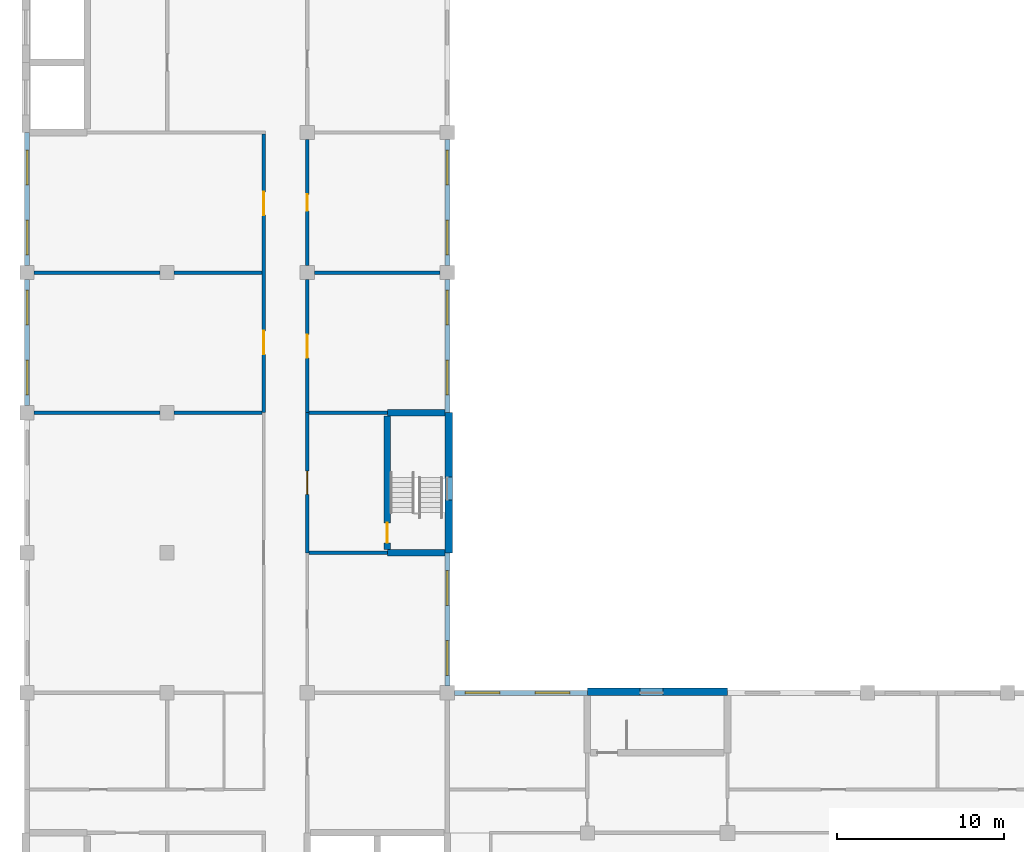
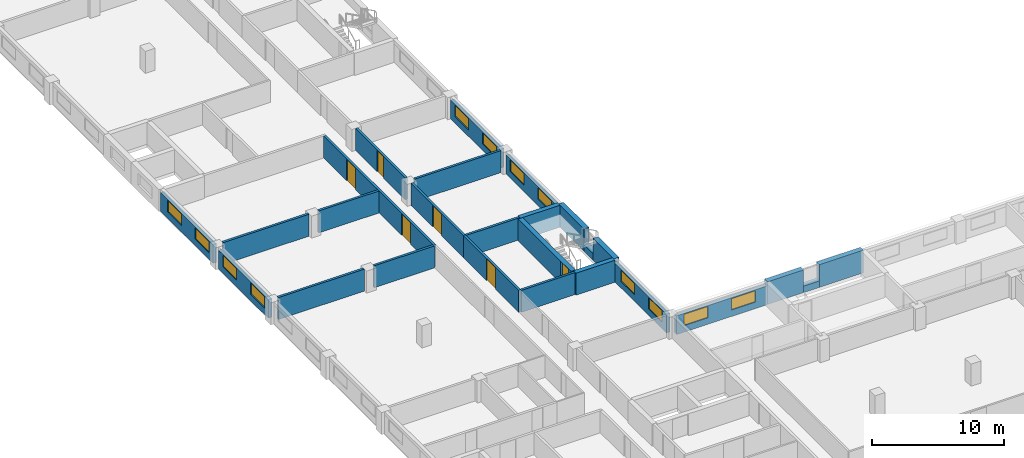
# One storey, part 32 of 48: 26 walls, 12 windows, 6 doors, 18 openings.
"""IFC4 building model written with IfcOpenShell, lengths in metres."""

import ifcopenshell
import ifcopenshell.guid

model = None  # the IFC model being written
_history = None  # IfcOwnerHistory: only IFC2X3 demands one
_inside = {}  # id of a spatial element -> (the spatial element, [elements in it])
_under = {}  # id of a project, library or spatial element -> (it, [spatial elements below it])
_declared = {}  # id of a project -> (the project, [libraries it declares])
_typed = {}  # id of a type object -> (the type object, [elements of that type])
_made_of = {}  # id of a material, layer set ... -> (it, [elements and type objects made of it])


def new_model(schema):
    """Start an empty IFC model of exactly this schema.

    Asked for "IFC4X3", IfcOpenShell would pick the latest addendum, in which some entities
    have other attributes; the version numbers below select the first issue.
    IFC2X3 requires an IfcOwnerHistory on every rooted entity: one is made here for all.
    """
    global model, _history
    if schema == "IFC4X3":
        model = ifcopenshell.file(schema_version=(4, 3, 0, 0))
    else:
        model = ifcopenshell.file(schema=schema)
    _inside.clear()
    _under.clear()
    _declared.clear()
    _typed.clear()
    _made_of.clear()
    _history = None
    if model.schema == "IFC2X3":
        org = make("IfcOrganization", Name="unknown")
        user = make(
            "IfcPersonAndOrganization",
            ThePerson=make("IfcPerson", FamilyName="unknown"),
            TheOrganization=org,
        )
        app = make(
            "IfcApplication",
            ApplicationDeveloper=org,
            Version="unknown",
            ApplicationFullName="unknown",
            ApplicationIdentifier="unknown",
        )
        _history = make(
            "IfcOwnerHistory",
            OwningUser=user,
            OwningApplication=app,
            ChangeAction="ADDED",
            CreationDate=0,
        )
    return model


def make(cls, **values):
    """One entity of the class cls with the attributes given. An attribute that is None is left unset."""
    return model.create_entity(
        cls, **{name: value for name, value in values.items() if value is not None}
    )


def rooted(cls, **values):
    """An entity with a GlobalId (a new one), such as an element, a storey or a relation."""
    return make(cls, GlobalId=ifcopenshell.guid.new(), OwnerHistory=_history, **values)


def si_unit(unit_type, name, prefix=None):
    """IfcSIUnit, for example si_unit("LENGTHUNIT", "METRE", prefix="MILLI")."""
    return make("IfcSIUnit", UnitType=unit_type, Prefix=prefix, Name=name)


def assignment(units):
    """IfcUnitAssignment: the units of a project."""
    return None if units is None else make("IfcUnitAssignment", Units=units)


def point(xyz):
    """IfcCartesianPoint."""
    return None if xyz is None else make("IfcCartesianPoint", Coordinates=xyz)


def direction(xyz):
    """IfcDirection."""
    return None if xyz is None else make("IfcDirection", DirectionRatios=xyz)


def frame(location, z_axis=None, x_axis=None):
    """IfcAxis2Placement3D, a coordinate frame: its origin and axes. An axis left out is left unset."""
    return make(
        "IfcAxis2Placement3D",
        Location=point(location),
        Axis=direction(z_axis),
        RefDirection=direction(x_axis),
    )


def frame_2d(location, x_axis=None):
    """IfcAxis2Placement2D, a coordinate frame in the plane: its origin and x axis."""
    return make(
        "IfcAxis2Placement2D", Location=point(location), RefDirection=direction(x_axis)
    )


def origin():
    """The frame at (0, 0, 0) with its axes left unset."""
    return frame((0.0, 0.0, 0.0))


def place(relative_to, where):
    """IfcLocalPlacement: puts the frame where relative to a parent placement (None: the world)."""
    return make(
        "IfcLocalPlacement", PlacementRelTo=relative_to, RelativePlacement=where
    )


def context(
    kind, dimensions, precision=None, world=None, true_north=None, identifier=None
):
    """IfcGeometricRepresentationContext, for example the 3D "Model" context."""
    return make(
        "IfcGeometricRepresentationContext",
        ContextIdentifier=identifier,
        ContextType=kind,
        CoordinateSpaceDimension=dimensions,
        Precision=precision,
        WorldCoordinateSystem=world,
        TrueNorth=true_north,
    )


def subcontext(parent, identifier, kind, view, scale=None):
    """IfcGeometricRepresentationSubContext, for example "Body" below "Model"."""
    return make(
        "IfcGeometricRepresentationSubContext",
        ContextIdentifier=identifier,
        ContextType=kind,
        ParentContext=parent,
        TargetScale=scale,
        TargetView=view,
    )


def project(units=None, contexts=None):
    """IfcProject with its units and contexts."""
    return rooted(
        "IfcProject",
        Name="project",
        RepresentationContexts=contexts,
        UnitsInContext=assignment(units),
    )


def spatial(cls, under=None, at=None, **own):
    """A site, building, storey or space (cls), placed at a placement, below another one or the project."""
    s = rooted(cls, ObjectPlacement=at, **own)
    if under is not None:
        _under.setdefault(under.id(), (under, []))[1].append(s)
    return s


def profile(cls, at=None, kind="AREA", **sizes):
    """A parametric profile (cls). Its sizes go by their IFC names, for example OverallWidth=200.0."""
    return make(cls, ProfileType=kind, Position=at, **sizes)


def rectangle(**sizes):
    """IfcRectangleProfileDef."""
    return profile("IfcRectangleProfileDef", **sizes)


def extrude(swept, where, along, depth):
    """IfcExtrudedAreaSolid: the profile swept, set in the frame where, extruded along a direction by depth."""
    return make(
        "IfcExtrudedAreaSolid",
        SweptArea=swept,
        Position=where,
        ExtrudedDirection=direction(along),
        Depth=depth,
    )


def shape(context_of_items, identifier, shape_type, items):
    """IfcShapeRepresentation: the items that make up one representation, for example the "Body"."""
    return make(
        "IfcShapeRepresentation",
        ContextOfItems=context_of_items,
        RepresentationIdentifier=identifier,
        RepresentationType=shape_type,
        Items=items,
    )


def material(Name=None, Category=None):
    """IfcMaterial."""
    return make("IfcMaterial", Name=Name, Category=Category)


def layer(
    of_material, thickness, ventilated=None, Name=None, Category=None, Priority=None
):
    """IfcMaterialLayer: one layer of a wall or slab, of a material (None: an air gap)."""
    return make(
        "IfcMaterialLayer",
        Material=of_material,
        LayerThickness=thickness,
        IsVentilated=ventilated,
        Name=Name,
        Category=Category,
        Priority=Priority,
    )


def layer_set(layers, Name=None):
    """IfcMaterialLayerSet."""
    return make("IfcMaterialLayerSet", MaterialLayers=layers, LayerSetName=Name)


def made_of(thing, what):
    """Note that an element or type object is made of a material, layer set ...; save() writes the relation."""
    if what is not None:
        _made_of.setdefault(what.id(), (what, []))[1].append(thing)
    return thing


def type_object(cls, material=None, **own):
    """A type object (cls), such as IfcWallType, which elements share."""
    return made_of(rooted(cls, **own), material)


def element(
    cls,
    number,
    at=None,
    inside=None,
    cuts=None,
    type_object=None,
    material=None,
    context=None,
    identifier="Body",
    shape_type=None,
    held_by="IfcProductDefinitionShape",
    body=None,
    shapes=None,
    **own,
):
    """One element of the class cls, such as IfcWall. Its Tag is "e" and its number.

    at: its placement. inside: the storey or other place that contains it. cuts: it is an
    opening in that element (IfcRelVoidsElement). A single representation is given by context,
    identifier, shape_type and body (its items); several are given by shapes. held_by: the class
    of the entity that holds the representations. save() writes the other relations.
    """
    e = rooted(cls, Tag="e%d" % number, ObjectPlacement=at, **own)
    if body is not None:
        shapes = [shape(context, identifier, shape_type, body)]
    if shapes is not None:
        e.Representation = make(held_by, Representations=shapes)
    if inside is not None:
        _inside.setdefault(inside.id(), (inside, []))[1].append(e)
    if cuts is not None:
        rooted(
            "IfcRelVoidsElement", RelatingBuildingElement=cuts, RelatedOpeningElement=e
        )
    if type_object is not None:
        _typed.setdefault(type_object.id(), (type_object, []))[1].append(e)
    return made_of(e, material)


def fill(opening, filler):
    """IfcRelFillsElement: the door or window that sits in an opening."""
    return rooted(
        "IfcRelFillsElement",
        RelatingOpeningElement=opening,
        RelatedBuildingElement=filler,
    )


def aggregate(whole, parts):
    """IfcRelAggregates: a whole, such as a stair, and the parts it consists of."""
    return rooted("IfcRelAggregates", RelatingObject=whole, RelatedObjects=parts)


def save(model, path):
    """Write the relations noted so far, then the file.

    IfcRelAggregates (storeys below a building ...), IfcRelContainedInSpatialStructure (elements
    in a storey), IfcRelDefinesByType, IfcRelAssociatesMaterial and IfcRelDeclares: one each for
    every whole, place, type object, material and project.
    """
    for whole, parts in _under.values():
        aggregate(whole, parts)
    for where, things in _inside.values():
        rooted(
            "IfcRelContainedInSpatialStructure",
            RelatedElements=things,
            RelatingStructure=where,
        )
    for kind, things in _typed.values():
        rooted("IfcRelDefinesByType", RelatedObjects=things, RelatingType=kind)
    for what, things in _made_of.values():
        rooted("IfcRelAssociatesMaterial", RelatedObjects=things, RelatingMaterial=what)
    for by, libraries in _declared.values():
        rooted("IfcRelDeclares", RelatingContext=by, RelatedDefinitions=libraries)
    model.write(path)


model = new_model("IFC4")

# Units and contexts
model_context = context("Model", 3, precision=1e-05, world=origin(), true_north=direction((0.0, 1.0)))
body_context = subcontext(model_context, "Body", "Model", "MODEL_VIEW")
ifc_project = project(units=[si_unit("LENGTHUNIT", "METRE"), si_unit("AREAUNIT", "SQUARE_METRE"), si_unit("VOLUMEUNIT", "CUBIC_METRE"), si_unit("PLANEANGLEUNIT", "RADIAN"), si_unit("MASSUNIT", "GRAM", prefix="KILO")], contexts=[model_context])

# Site, building, storey
site_placement = place(None, origin())
site = spatial("IfcSite", under=ifc_project, at=site_placement, CompositionType="ELEMENT")
building_placement = place(site_placement, origin())
building = spatial("IfcBuilding", under=site, at=building_placement, Name="Yavir Park General Hospital", CompositionType="ELEMENT")
storey_placement = place(building_placement, frame((0.0, 0.0, 12.89990234375)))
storey = spatial("IfcBuildingStorey", under=building, at=storey_placement, Name="I02", CompositionType="ELEMENT", Elevation=12.89990234375)

# Walls
ifc_material_1 = material(Name="Double gypsum board fire partition on steel studs", Category="steel")
ifc_layer_1 = layer(ifc_material_1, 0.199951171875)
ifc_layer_set_1 = layer_set([ifc_layer_1], Name="Double gypsum board fire partition on steel studs")
wall_type_1 = type_object("IfcWallType", Name="Fire-rated partition 200, EI 60", PredefinedType="PARTITIONING", material=ifc_layer_set_1)
for number, where, z_axis, x_axis, name in (
    (1, (16.89990234375, 42.0, 0.0), (0.0, 0.0, 1.0), (1.0, 0.0, 0.0), "FP20 I02-074"),
    (2, (16.89990234375, 50.39990234375, 0.0), (0.0, 0.0, 1.0), (1.0, 0.0, 0.0), "FP20 I02-078"),
):
    element("IfcWall", number, at=place(storey_placement, frame(where, z_axis=z_axis, x_axis=x_axis)), inside=storey, type_object=wall_type_1, Name=name, PredefinedType="PARTITIONING", context=body_context, shape_type="SweptSolid", body=[
        extrude(rectangle(XDim=4.7001953125, YDim=0.199951171875, at=frame_2d((2.35009765625, 0.0))), origin(), (0.0, 0.0, 1.0), 2.0400390625),
    ])

# Wall, opening, door
wall_1_placement = place(storey_placement, frame((16.800048828125, 42.0, 0.0), z_axis=(0.0, 0.0, 1.0), x_axis=(0.0, 1.0, 0.0)))
wall_1 = element("IfcWall", 3, at=wall_1_placement, inside=storey, type_object=wall_type_1, Name="FP20 I02-121", PredefinedType="PARTITIONING", context=body_context, shape_type="SweptSolid", body=[
    extrude(rectangle(XDim=8.39990234375, YDim=0.199951171875, at=frame_2d((4.199951171875, 0.0))), origin(), (0.0, 0.0, 1.0), 2.0400390625),
])
opening_1_placement = place(wall_1_placement, frame((3.5, 0.0, 0.0)))
opening_1 = element("IfcOpeningElement", 4, at=opening_1_placement, cuts=wall_1, Name="Opening I02.D067", PredefinedType="OPENING", context=body_context, shape_type="SweptSolid", body=[
    extrude(rectangle(XDim=1.39990234375, YDim=2.0, at=frame_2d((0.699951171875, 1.0))), frame((0.0, 0.10986328125, 0.0), z_axis=(0.0, -1.0, 0.0), x_axis=(1.0, 0.0, 0.0)), (0.0, 0.0, 1.0), 0.219970703125),
])
ifc_material_2 = material(Name="Steel frame, fire-resisting leaves with vision panels", Category="steel")
door_type_1 = type_object("IfcDoorType", Name="Double fire door with vision panels 1400 x 2000, EI 60", OperationType="DOUBLE_DOOR_SINGLE_SWING", PredefinedType="DOOR", material=ifc_material_2)
door_1_placement = place(opening_1_placement, origin())
door_1 = element("IfcDoor", 5, at=door_1_placement, inside=storey, type_object=door_type_1, Name="I02.D067", OperationType="SINGLE_SWING_LEFT", OverallHeight=2.0, OverallWidth=1.39990234375, PredefinedType="DOOR", context=body_context, shape_type="SweptSolid", body=[
    extrude(rectangle(XDim=1.39990234375, YDim=2.0, at=frame_2d((0.699951171875, 1.0))), frame((0.0, 0.030029296875, 0.0), z_axis=(0.0, -1.0, 0.0), x_axis=(1.0, 0.0, 0.0)), (0.0, 0.0, 1.0), 0.06005859375),
])
fill(opening_1, door_1)

# Wall, openings, windows
ifc_material_3 = material(Name="Insulated sandwich panels on a Steel S355 subframe", Category="steel")
ifc_layer_2 = layer(ifc_material_3, 0.300048828125)
ifc_layer_set_2 = layer_set([ifc_layer_2], Name="Insulated sandwich panels on a Steel S355 subframe")
wall_type_2 = type_object("IfcWallType", Name="Insulated panel service floor wall 300, E 30", PredefinedType="SOLIDWALL", material=ifc_layer_set_2)
wall_2_placement = place(storey_placement, frame((25.625, 33.60009765625, 0.0), z_axis=(0.0, 0.0, 1.0), x_axis=(1.0, 0.0, 0.0)))
wall_2 = element("IfcWall", 6, at=wall_2_placement, inside=storey, type_object=wall_type_2, Name="XW5 I02-034", PredefinedType="SOLIDWALL", context=body_context, shape_type="SweptSolid", body=[
    extrude(rectangle(XDim=7.97509765625, YDim=0.300048828125, at=frame_2d((3.987548828125, 0.0))), origin(), (0.0, 0.0, 1.0), 1.739990234375),
])
opening_2_placement = place(wall_2_placement, frame((0.625, 0.0, 0.60009765625)))
opening_2 = element("IfcOpeningElement", 7, at=opening_2_placement, cuts=wall_2, Name="Opening LV3", PredefinedType="OPENING", context=body_context, shape_type="SweptSolid", body=[
    extrude(rectangle(XDim=2.10009765625, YDim=1.050048828125, at=frame_2d((1.050048828125, 0.52490234375))), frame((0.0, 0.159912109375, 0.0), z_axis=(0.0, -1.0, 0.0), x_axis=(1.0, 0.0, 0.0)), (0.0, 0.0, 1.0), 0.320068359375),
])
opening_3_placement = place(wall_2_placement, frame((4.824951171875, 0.0, 0.60009765625)))
opening_3 = element("IfcOpeningElement", 8, at=opening_3_placement, cuts=wall_2, Name="Opening LV3", PredefinedType="OPENING", context=body_context, shape_type="SweptSolid", body=[
    extrude(rectangle(XDim=2.10009765625, YDim=1.050048828125, at=frame_2d((1.050048828125, 0.52490234375))), frame((0.0, 0.159912109375, 0.0), z_axis=(0.0, -1.0, 0.0), x_axis=(1.0, 0.0, 0.0)), (0.0, 0.0, 1.0), 0.320068359375),
])
ifc_material_4 = material(Name="Anodised aluminium louvre blades in a deep frame", Category="aluminium")
window_type = type_object("IfcWindowType", Name="Interstitial floor louvre 2100 x 1050", PartitioningType="SINGLE_PANEL", PredefinedType="WINDOW", material=ifc_material_4)
window_1_placement = place(opening_2_placement, origin())
window_1 = element("IfcWindow", 9, at=window_1_placement, inside=storey, type_object=window_type, Name="LV3 I02-032", OverallHeight=1.050048828125, OverallWidth=2.10009765625, PartitioningType="SINGLE_PANEL", PredefinedType="WINDOW", context=body_context, shape_type="SweptSolid", body=[
    extrude(rectangle(XDim=2.10009765625, YDim=1.050048828125, at=frame_2d((1.050048828125, 0.52490234375))), frame((0.0, 0.074951171875, 0.0), z_axis=(0.0, -1.0, 0.0), x_axis=(1.0, 0.0, 0.0)), (0.0, 0.0, 1.0), 0.14990234375),
])
fill(opening_2, window_1)
window_2_placement = place(opening_3_placement, origin())
window_2 = element("IfcWindow", 10, at=window_2_placement, inside=storey, type_object=window_type, Name="LV3 I02-033", OverallHeight=1.050048828125, OverallWidth=2.10009765625, PartitioningType="SINGLE_PANEL", PredefinedType="WINDOW", context=body_context, shape_type="SweptSolid", body=[
    extrude(rectangle(XDim=2.10009765625, YDim=1.050048828125, at=frame_2d((1.050048828125, 0.52490234375))), frame((0.0, 0.074951171875, 0.0), z_axis=(0.0, -1.0, 0.0), x_axis=(1.0, 0.0, 0.0)), (0.0, 0.0, 1.0), 0.14990234375),
])
fill(opening_3, window_2)

wall_3_placement = place(storey_placement, frame((0.0, 50.824951171875, 0.0), z_axis=(0.0, 0.0, 1.0), x_axis=(0.0, 1.0, 0.0)))
wall_3 = element("IfcWall", 11, at=wall_3_placement, inside=storey, type_object=wall_type_2, Name="XW5 I02-080", PredefinedType="SOLIDWALL", context=body_context, shape_type="SweptSolid", body=[
    extrude(rectangle(XDim=7.550048828125, YDim=0.300048828125, at=frame_2d((3.77490234375, 0.0))), origin(), (0.0, 0.0, 1.0), 1.739990234375),
])
opening_4_placement = place(wall_3_placement, frame((0.625, 0.0, 0.60009765625)))
opening_4 = element("IfcOpeningElement", 12, at=opening_4_placement, cuts=wall_3, Name="Opening LV3", PredefinedType="OPENING", context=body_context, shape_type="SweptSolid", body=[
    extrude(rectangle(XDim=2.10009765625, YDim=1.050048828125, at=frame_2d((1.050048828125, 0.52490234375))), frame((0.0, 0.159912109375, 0.0), z_axis=(0.0, -1.0, 0.0), x_axis=(1.0, 0.0, 0.0)), (0.0, 0.0, 1.0), 0.320068359375),
])
opening_5_placement = place(wall_3_placement, frame((4.824951171875, 0.0, 0.60009765625)))
opening_5 = element("IfcOpeningElement", 13, at=opening_5_placement, cuts=wall_3, Name="Opening LV3", PredefinedType="OPENING", context=body_context, shape_type="SweptSolid", body=[
    extrude(rectangle(XDim=2.10009765625, YDim=1.050048828125, at=frame_2d((1.050048828125, 0.52490234375))), frame((0.0, 0.159912109375, 0.0), z_axis=(0.0, -1.0, 0.0), x_axis=(1.0, 0.0, 0.0)), (0.0, 0.0, 1.0), 0.320068359375),
])
window_3_placement = place(opening_4_placement, origin())
window_3 = element("IfcWindow", 14, at=window_3_placement, inside=storey, type_object=window_type, Name="LV3 I02-071", OverallHeight=1.050048828125, OverallWidth=2.10009765625, PartitioningType="SINGLE_PANEL", PredefinedType="WINDOW", context=body_context, shape_type="SweptSolid", body=[
    extrude(rectangle(XDim=2.10009765625, YDim=1.050048828125, at=frame_2d((1.050048828125, 0.52490234375))), frame((0.0, 0.074951171875, 0.0), z_axis=(0.0, -1.0, 0.0), x_axis=(1.0, 0.0, 0.0)), (0.0, 0.0, 1.0), 0.14990234375),
])
fill(opening_4, window_3)
window_4_placement = place(opening_5_placement, origin())
window_4 = element("IfcWindow", 15, at=window_4_placement, inside=storey, type_object=window_type, Name="LV3 I02-072", OverallHeight=1.050048828125, OverallWidth=2.10009765625, PartitioningType="SINGLE_PANEL", PredefinedType="WINDOW", context=body_context, shape_type="SweptSolid", body=[
    extrude(rectangle(XDim=2.10009765625, YDim=1.050048828125, at=frame_2d((1.050048828125, 0.52490234375))), frame((0.0, 0.074951171875, 0.0), z_axis=(0.0, -1.0, 0.0), x_axis=(1.0, 0.0, 0.0)), (0.0, 0.0, 1.0), 0.14990234375),
])
fill(opening_5, window_4)

wall_4_placement = place(storey_placement, frame((0.0, 59.22509765625, 0.0), z_axis=(0.0, 0.0, 1.0), x_axis=(0.0, 1.0, 0.0)))
wall_4 = element("IfcWall", 16, at=wall_4_placement, inside=storey, type_object=wall_type_2, Name="XW5 I02-081", PredefinedType="SOLIDWALL", context=body_context, shape_type="SweptSolid", body=[
    extrude(rectangle(XDim=7.974853515625, YDim=0.300048828125, at=frame_2d((3.9873046875, 0.0))), origin(), (0.0, 0.0, 1.0), 1.739990234375),
])
opening_6_placement = place(wall_4_placement, frame((0.625, 0.0, 0.60009765625)))
opening_6 = element("IfcOpeningElement", 17, at=opening_6_placement, cuts=wall_4, Name="Opening LV3", PredefinedType="OPENING", context=body_context, shape_type="SweptSolid", body=[
    extrude(rectangle(XDim=2.10009765625, YDim=1.050048828125, at=frame_2d((1.050048828125, 0.52490234375))), frame((0.0, 0.159912109375, 0.0), z_axis=(0.0, -1.0, 0.0), x_axis=(1.0, 0.0, 0.0)), (0.0, 0.0, 1.0), 0.320068359375),
])
opening_7_placement = place(wall_4_placement, frame((4.824951171875, 0.0, 0.60009765625)))
opening_7 = element("IfcOpeningElement", 18, at=opening_7_placement, cuts=wall_4, Name="Opening LV3", PredefinedType="OPENING", context=body_context, shape_type="SweptSolid", body=[
    extrude(rectangle(XDim=2.10009765625, YDim=1.050048828125, at=frame_2d((1.050048828125, 0.52490234375))), frame((0.0, 0.159912109375, 0.0), z_axis=(0.0, -1.0, 0.0), x_axis=(1.0, 0.0, 0.0)), (0.0, 0.0, 1.0), 0.320068359375),
])
window_5_placement = place(opening_6_placement, origin())
window_5 = element("IfcWindow", 19, at=window_5_placement, inside=storey, type_object=window_type, Name="LV3 I02-073", OverallHeight=1.050048828125, OverallWidth=2.10009765625, PartitioningType="SINGLE_PANEL", PredefinedType="WINDOW", context=body_context, shape_type="SweptSolid", body=[
    extrude(rectangle(XDim=2.10009765625, YDim=1.050048828125, at=frame_2d((1.050048828125, 0.52490234375))), frame((0.0, 0.074951171875, 0.0), z_axis=(0.0, -1.0, 0.0), x_axis=(1.0, 0.0, 0.0)), (0.0, 0.0, 1.0), 0.14990234375),
])
fill(opening_6, window_5)
window_6_placement = place(opening_7_placement, origin())
window_6 = element("IfcWindow", 20, at=window_6_placement, inside=storey, type_object=window_type, Name="LV3 I02-074", OverallHeight=1.050048828125, OverallWidth=2.10009765625, PartitioningType="SINGLE_PANEL", PredefinedType="WINDOW", context=body_context, shape_type="SweptSolid", body=[
    extrude(rectangle(XDim=2.10009765625, YDim=1.050048828125, at=frame_2d((1.050048828125, 0.52490234375))), frame((0.0, 0.074951171875, 0.0), z_axis=(0.0, -1.0, 0.0), x_axis=(1.0, 0.0, 0.0)), (0.0, 0.0, 1.0), 0.14990234375),
])
fill(opening_7, window_6)

wall_5_placement = place(storey_placement, frame((25.199951171875, 34.02490234375, 0.0), z_axis=(0.0, 0.0, 1.0), x_axis=(0.0, 1.0, 0.0)))
wall_5 = element("IfcWall", 21, at=wall_5_placement, inside=storey, type_object=wall_type_2, Name="XW5 I02-089", PredefinedType="SOLIDWALL", context=body_context, shape_type="SweptSolid", body=[
    extrude(rectangle(XDim=7.97509765625, YDim=0.300048828125, at=frame_2d((3.987548828125, 0.0))), origin(), (0.0, 0.0, 1.0), 1.739990234375),
])
opening_8_placement = place(wall_5_placement, frame((0.625, 0.0, 0.60009765625)))
opening_8 = element("IfcOpeningElement", 22, at=opening_8_placement, cuts=wall_5, Name="Opening LV3", PredefinedType="OPENING", context=body_context, shape_type="SweptSolid", body=[
    extrude(rectangle(XDim=2.10009765625, YDim=1.050048828125, at=frame_2d((1.050048828125, 0.52490234375))), frame((0.0, 0.159912109375, 0.0), z_axis=(0.0, -1.0, 0.0), x_axis=(1.0, 0.0, 0.0)), (0.0, 0.0, 1.0), 0.320068359375),
])
opening_9_placement = place(wall_5_placement, frame((4.824951171875, 0.0, 0.60009765625)))
opening_9 = element("IfcOpeningElement", 23, at=opening_9_placement, cuts=wall_5, Name="Opening LV3", PredefinedType="OPENING", context=body_context, shape_type="SweptSolid", body=[
    extrude(rectangle(XDim=2.10009765625, YDim=1.050048828125, at=frame_2d((1.050048828125, 0.52490234375))), frame((0.0, 0.159912109375, 0.0), z_axis=(0.0, -1.0, 0.0), x_axis=(1.0, 0.0, 0.0)), (0.0, 0.0, 1.0), 0.320068359375),
])
window_7_placement = place(opening_8_placement, origin())
window_7 = element("IfcWindow", 24, at=window_7_placement, inside=storey, type_object=window_type, Name="LV3 I02-087", OverallHeight=1.050048828125, OverallWidth=2.10009765625, PartitioningType="SINGLE_PANEL", PredefinedType="WINDOW", context=body_context, shape_type="SweptSolid", body=[
    extrude(rectangle(XDim=2.10009765625, YDim=1.050048828125, at=frame_2d((1.050048828125, 0.52490234375))), frame((0.0, 0.074951171875, 0.0), z_axis=(0.0, -1.0, 0.0), x_axis=(1.0, 0.0, 0.0)), (0.0, 0.0, 1.0), 0.14990234375),
])
fill(opening_8, window_7)
window_8_placement = place(opening_9_placement, origin())
window_8 = element("IfcWindow", 25, at=window_8_placement, inside=storey, type_object=window_type, Name="LV3 I02-088", OverallHeight=1.050048828125, OverallWidth=2.10009765625, PartitioningType="SINGLE_PANEL", PredefinedType="WINDOW", context=body_context, shape_type="SweptSolid", body=[
    extrude(rectangle(XDim=2.10009765625, YDim=1.050048828125, at=frame_2d((1.050048828125, 0.52490234375))), frame((0.0, 0.074951171875, 0.0), z_axis=(0.0, -1.0, 0.0), x_axis=(1.0, 0.0, 0.0)), (0.0, 0.0, 1.0), 0.14990234375),
])
fill(opening_9, window_8)

wall_6_placement = place(storey_placement, frame((25.199951171875, 50.39990234375, 0.0), z_axis=(0.0, 0.0, 1.0), x_axis=(0.0, 1.0, 0.0)))
wall_6 = element("IfcWall", 26, at=wall_6_placement, inside=storey, type_object=wall_type_2, Name="XW5 I02-093", PredefinedType="SOLIDWALL", context=body_context, shape_type="SweptSolid", body=[
    extrude(rectangle(XDim=7.97509765625, YDim=0.300048828125, at=frame_2d((3.987548828125, 0.0))), origin(), (0.0, 0.0, 1.0), 1.739990234375),
])
opening_10_placement = place(wall_6_placement, frame((1.050048828125, 0.0, 0.60009765625)))
opening_10 = element("IfcOpeningElement", 27, at=opening_10_placement, cuts=wall_6, Name="Opening LV3", PredefinedType="OPENING", context=body_context, shape_type="SweptSolid", body=[
    extrude(rectangle(XDim=2.10009765625, YDim=1.050048828125, at=frame_2d((1.050048828125, 0.52490234375))), frame((0.0, 0.159912109375, 0.0), z_axis=(0.0, -1.0, 0.0), x_axis=(1.0, 0.0, 0.0)), (0.0, 0.0, 1.0), 0.320068359375),
])
opening_11_placement = place(wall_6_placement, frame((5.25, 0.0, 0.60009765625)))
opening_11 = element("IfcOpeningElement", 28, at=opening_11_placement, cuts=wall_6, Name="Opening LV3", PredefinedType="OPENING", context=body_context, shape_type="SweptSolid", body=[
    extrude(rectangle(XDim=2.10009765625, YDim=1.050048828125, at=frame_2d((1.050048828125, 0.52490234375))), frame((0.0, 0.159912109375, 0.0), z_axis=(0.0, -1.0, 0.0), x_axis=(1.0, 0.0, 0.0)), (0.0, 0.0, 1.0), 0.320068359375),
])
window_9_placement = place(opening_10_placement, origin())
window_9 = element("IfcWindow", 29, at=window_9_placement, inside=storey, type_object=window_type, Name="LV3 I02-089", OverallHeight=1.050048828125, OverallWidth=2.10009765625, PartitioningType="SINGLE_PANEL", PredefinedType="WINDOW", context=body_context, shape_type="SweptSolid", body=[
    extrude(rectangle(XDim=2.10009765625, YDim=1.050048828125, at=frame_2d((1.050048828125, 0.52490234375))), frame((0.0, 0.074951171875, 0.0), z_axis=(0.0, -1.0, 0.0), x_axis=(1.0, 0.0, 0.0)), (0.0, 0.0, 1.0), 0.14990234375),
])
fill(opening_10, window_9)
window_10_placement = place(opening_11_placement, origin())
window_10 = element("IfcWindow", 30, at=window_10_placement, inside=storey, type_object=window_type, Name="LV3 I02-090", OverallHeight=1.050048828125, OverallWidth=2.10009765625, PartitioningType="SINGLE_PANEL", PredefinedType="WINDOW", context=body_context, shape_type="SweptSolid", body=[
    extrude(rectangle(XDim=2.10009765625, YDim=1.050048828125, at=frame_2d((1.050048828125, 0.52490234375))), frame((0.0, 0.074951171875, 0.0), z_axis=(0.0, -1.0, 0.0), x_axis=(1.0, 0.0, 0.0)), (0.0, 0.0, 1.0), 0.14990234375),
])
fill(opening_11, window_10)

wall_7_placement = place(storey_placement, frame((25.199951171875, 59.22509765625, 0.0), z_axis=(0.0, 0.0, 1.0), x_axis=(0.0, 1.0, 0.0)))
wall_7 = element("IfcWall", 31, at=wall_7_placement, inside=storey, type_object=wall_type_2, Name="XW5 I02-094", PredefinedType="SOLIDWALL", context=body_context, shape_type="SweptSolid", body=[
    extrude(rectangle(XDim=7.5498046875, YDim=0.300048828125, at=frame_2d((3.77490234375, 0.0))), origin(), (0.0, 0.0, 1.0), 1.739990234375),
])
opening_12_placement = place(wall_7_placement, frame((0.625, 0.0, 0.60009765625)))
opening_12 = element("IfcOpeningElement", 32, at=opening_12_placement, cuts=wall_7, Name="Opening LV3", PredefinedType="OPENING", context=body_context, shape_type="SweptSolid", body=[
    extrude(rectangle(XDim=2.10009765625, YDim=1.050048828125, at=frame_2d((1.050048828125, 0.52490234375))), frame((0.0, 0.159912109375, 0.0), z_axis=(0.0, -1.0, 0.0), x_axis=(1.0, 0.0, 0.0)), (0.0, 0.0, 1.0), 0.320068359375),
])
opening_13_placement = place(wall_7_placement, frame((4.824951171875, 0.0, 0.60009765625)))
opening_13 = element("IfcOpeningElement", 33, at=opening_13_placement, cuts=wall_7, Name="Opening LV3", PredefinedType="OPENING", context=body_context, shape_type="SweptSolid", body=[
    extrude(rectangle(XDim=2.10009765625, YDim=1.050048828125, at=frame_2d((1.050048828125, 0.52490234375))), frame((0.0, 0.159912109375, 0.0), z_axis=(0.0, -1.0, 0.0), x_axis=(1.0, 0.0, 0.0)), (0.0, 0.0, 1.0), 0.320068359375),
])
window_11_placement = place(opening_12_placement, origin())
window_11 = element("IfcWindow", 34, at=window_11_placement, inside=storey, type_object=window_type, Name="LV3 I02-091", OverallHeight=1.050048828125, OverallWidth=2.10009765625, PartitioningType="SINGLE_PANEL", PredefinedType="WINDOW", context=body_context, shape_type="SweptSolid", body=[
    extrude(rectangle(XDim=2.10009765625, YDim=1.050048828125, at=frame_2d((1.050048828125, 0.52490234375))), frame((0.0, 0.074951171875, 0.0), z_axis=(0.0, -1.0, 0.0), x_axis=(1.0, 0.0, 0.0)), (0.0, 0.0, 1.0), 0.14990234375),
])
fill(opening_12, window_11)
window_12_placement = place(opening_13_placement, origin())
window_12 = element("IfcWindow", 35, at=window_12_placement, inside=storey, type_object=window_type, Name="LV3 I02-092", OverallHeight=1.050048828125, OverallWidth=2.10009765625, PartitioningType="SINGLE_PANEL", PredefinedType="WINDOW", context=body_context, shape_type="SweptSolid", body=[
    extrude(rectangle(XDim=2.10009765625, YDim=1.050048828125, at=frame_2d((1.050048828125, 0.52490234375))), frame((0.0, 0.074951171875, 0.0), z_axis=(0.0, -1.0, 0.0), x_axis=(1.0, 0.0, 0.0)), (0.0, 0.0, 1.0), 0.14990234375),
])
fill(opening_13, window_12)

# Walls
ifc_material_5 = material(Name="Clay block masonry infill", Category="masonry")
ifc_layer_3 = layer(ifc_material_5, 0.199951171875)
ifc_layer_set_3 = layer_set([ifc_layer_3], Name="Clay block masonry infill")
wall_type_3 = type_object("IfcWallType", Name="Masonry infill wall 200", PredefinedType="SOLIDWALL", material=ifc_layer_set_3)
wall_8_placement = place(storey_placement, frame((0.425048828125, 50.39990234375, 0.0), z_axis=(0.0, 0.0, 1.0), x_axis=(1.0, 0.0, 0.0)))
element("IfcWall", 36, at=wall_8_placement, inside=storey, type_object=wall_type_3, Name="MW20 I02-076", PredefinedType="SOLIDWALL", context=body_context, shape_type="SweptSolid", body=[
    extrude(rectangle(XDim=7.550048828125, YDim=0.199951171875, at=frame_2d((3.77490234375, 0.0))), origin(), (0.0, 0.0, 1.0), 2.0400390625),
])
wall_9_placement = place(storey_placement, frame((8.824951171875, 50.39990234375, 0.0), z_axis=(0.0, 0.0, 1.0), x_axis=(1.0, 0.0, 0.0)))
element("IfcWall", 37, at=wall_9_placement, inside=storey, type_object=wall_type_3, Name="MW20 I02-077", PredefinedType="SOLIDWALL", context=body_context, shape_type="SweptSolid", body=[
    extrude(rectangle(XDim=5.275146484375, YDim=0.199951171875, at=frame_2d((2.6376953125, 0.0))), origin(), (0.0, 0.0, 1.0), 2.0400390625),
])
wall_10_placement = place(storey_placement, frame((0.425048828125, 58.800048828125, 0.0), z_axis=(0.0, 0.0, 1.0), x_axis=(1.0, 0.0, 0.0)))
element("IfcWall", 38, at=wall_10_placement, inside=storey, type_object=wall_type_3, Name="MW20 I02-080", PredefinedType="SOLIDWALL", context=body_context, shape_type="SweptSolid", body=[
    extrude(rectangle(XDim=7.550048828125, YDim=0.199951171875, at=frame_2d((3.77490234375, 0.0))), origin(), (0.0, 0.0, 1.0), 2.0400390625),
])
wall_11_placement = place(storey_placement, frame((8.824951171875, 58.800048828125, 0.0), z_axis=(0.0, 0.0, 1.0), x_axis=(1.0, 0.0, 0.0)))
element("IfcWall", 39, at=wall_11_placement, inside=storey, type_object=wall_type_3, Name="MW20 I02-081", PredefinedType="SOLIDWALL", context=body_context, shape_type="SweptSolid", body=[
    extrude(rectangle(XDim=5.275146484375, YDim=0.199951171875, at=frame_2d((2.6376953125, 0.0))), origin(), (0.0, 0.0, 1.0), 2.0400390625),
])
wall_12_placement = place(storey_placement, frame((17.22509765625, 58.800048828125, 0.0), z_axis=(0.0, 0.0, 1.0), x_axis=(1.0, 0.0, 0.0)))
element("IfcWall", 40, at=wall_12_placement, inside=storey, type_object=wall_type_3, Name="MW20 I02-082", PredefinedType="SOLIDWALL", context=body_context, shape_type="SweptSolid", body=[
    extrude(rectangle(XDim=7.5498046875, YDim=0.199951171875, at=frame_2d((3.77490234375, 0.0))), origin(), (0.0, 0.0, 1.0), 2.0400390625),
])

# Wall, openings, doors
wall_13_placement = place(storey_placement, frame((14.199951171875, 50.39990234375, 0.0), z_axis=(0.0, 0.0, 1.0), x_axis=(0.0, 1.0, 0.0)))
wall_13 = element("IfcWall", 41, at=wall_13_placement, inside=storey, type_object=wall_type_3, Name="MW20 I02-114", PredefinedType="SOLIDWALL", context=body_context, shape_type="SweptSolid", body=[
    extrude(rectangle(XDim=16.7001953125, YDim=0.199951171875, at=frame_2d((8.35009765625, 0.0))), origin(), (0.0, 0.0, 1.0), 2.0400390625),
])
opening_14_placement = place(wall_13_placement, frame((3.5, 0.0, 0.0)))
opening_14 = element("IfcOpeningElement", 42, at=opening_14_placement, cuts=wall_13, Name="Opening I02.D058", PredefinedType="OPENING", context=body_context, shape_type="SweptSolid", body=[
    extrude(rectangle(XDim=1.39990234375, YDim=2.0, at=frame_2d((0.699951171875, 1.0))), frame((0.0, 0.10986328125, 0.0), z_axis=(0.0, -1.0, 0.0), x_axis=(1.0, 0.0, 0.0)), (0.0, 0.0, 1.0), 0.219970703125),
])
opening_15_placement = place(wall_13_placement, frame((11.85009765625, 0.0, 0.0)))
opening_15 = element("IfcOpeningElement", 43, at=opening_15_placement, cuts=wall_13, Name="Opening I02.D059", PredefinedType="OPENING", context=body_context, shape_type="SweptSolid", body=[
    extrude(rectangle(XDim=1.39990234375, YDim=2.0, at=frame_2d((0.699951171875, 1.0))), frame((0.0, 0.10986328125, 0.0), z_axis=(0.0, -1.0, 0.0), x_axis=(1.0, 0.0, 0.0)), (0.0, 0.0, 1.0), 0.219970703125),
])
ifc_material_6 = material(Name="Hollow metal frame, solid-core timber leaf", Category="wood")
door_type_2 = type_object("IfcDoorType", Name="Double swing door 1400 x 2000", OperationType="DOUBLE_DOOR_SINGLE_SWING", PredefinedType="DOOR", material=ifc_material_6)
door_2_placement = place(opening_14_placement, origin())
door_2 = element("IfcDoor", 44, at=door_2_placement, inside=storey, type_object=door_type_2, Name="I02.D058", OperationType="SINGLE_SWING_RIGHT", OverallHeight=2.0, OverallWidth=1.39990234375, PredefinedType="DOOR", context=body_context, shape_type="SweptSolid", body=[
    extrude(rectangle(XDim=1.39990234375, YDim=2.0, at=frame_2d((0.699951171875, 1.0))), frame((0.0, 0.02490234375, 0.0), z_axis=(0.0, -1.0, 0.0), x_axis=(1.0, 0.0, 0.0)), (0.0, 0.0, 1.0), 0.050048828125),
])
fill(opening_14, door_2)
door_3_placement = place(opening_15_placement, origin())
door_3 = element("IfcDoor", 45, at=door_3_placement, inside=storey, type_object=door_type_2, Name="I02.D059", OperationType="SINGLE_SWING_RIGHT", OverallHeight=2.0, OverallWidth=1.39990234375, PredefinedType="DOOR", context=body_context, shape_type="SweptSolid", body=[
    extrude(rectangle(XDim=1.39990234375, YDim=2.0, at=frame_2d((0.699951171875, 1.0))), frame((0.0, 0.02490234375, 0.0), z_axis=(0.0, -1.0, 0.0), x_axis=(1.0, 0.0, 0.0)), (0.0, 0.0, 1.0), 0.050048828125),
])
fill(opening_15, door_3)

# Wall, opening, door
wall_14_placement = place(storey_placement, frame((16.800048828125, 50.39990234375, 0.0), z_axis=(0.0, 0.0, 1.0), x_axis=(0.0, 1.0, 0.0)))
wall_14 = element("IfcWall", 46, at=wall_14_placement, inside=storey, type_object=wall_type_3, Name="MW20 I02-122", PredefinedType="SOLIDWALL", context=body_context, shape_type="SweptSolid", body=[
    extrude(rectangle(XDim=7.97509765625, YDim=0.199951171875, at=frame_2d((3.987548828125, 0.0))), origin(), (0.0, 0.0, 1.0), 2.0400390625),
])
opening_16_placement = place(wall_14_placement, frame((3.28759765625, 0.0, 0.0)))
opening_16 = element("IfcOpeningElement", 47, at=opening_16_placement, cuts=wall_14, Name="Opening I02.D068", PredefinedType="OPENING", context=body_context, shape_type="SweptSolid", body=[
    extrude(rectangle(XDim=1.39990234375, YDim=2.0, at=frame_2d((0.699951171875, 1.0))), frame((0.0, 0.10986328125, 0.0), z_axis=(0.0, -1.0, 0.0), x_axis=(1.0, 0.0, 0.0)), (0.0, 0.0, 1.0), 0.219970703125),
])
door_4_placement = place(opening_16_placement, origin())
door_4 = element("IfcDoor", 48, at=door_4_placement, inside=storey, type_object=door_type_2, Name="I02.D068", OperationType="SINGLE_SWING_LEFT", OverallHeight=2.0, OverallWidth=1.39990234375, PredefinedType="DOOR", context=body_context, shape_type="SweptSolid", body=[
    extrude(rectangle(XDim=1.39990234375, YDim=2.0, at=frame_2d((0.699951171875, 1.0))), frame((0.0, 0.02490234375, 0.0), z_axis=(0.0, -1.0, 0.0), x_axis=(1.0, 0.0, 0.0)), (0.0, 0.0, 1.0), 0.050048828125),
])
fill(opening_16, door_4)

wall_15_placement = place(storey_placement, frame((16.800048828125, 59.22509765625, 0.0), z_axis=(0.0, 0.0, 1.0), x_axis=(0.0, 1.0, 0.0)))
wall_15 = element("IfcWall", 49, at=wall_15_placement, inside=storey, type_object=wall_type_3, Name="MW20 I02-123", PredefinedType="SOLIDWALL", context=body_context, shape_type="SweptSolid", body=[
    extrude(rectangle(XDim=7.5498046875, YDim=0.199951171875, at=frame_2d((3.77490234375, 0.0))), origin(), (0.0, 0.0, 1.0), 2.0400390625),
])
opening_17_placement = place(wall_15_placement, frame((3.27490234375, 0.0, 0.0)))
opening_17 = element("IfcOpeningElement", 50, at=opening_17_placement, cuts=wall_15, Name="Opening I02.D069", PredefinedType="OPENING", context=body_context, shape_type="SweptSolid", body=[
    extrude(rectangle(XDim=1.0, YDim=2.0, at=frame_2d((0.5, 1.0))), frame((0.0, 0.10986328125, 0.0), z_axis=(0.0, -1.0, 0.0), x_axis=(1.0, 0.0, 0.0)), (0.0, 0.0, 1.0), 0.219970703125),
])
ifc_material_7 = material(Name="Hollow metal frame, solid-core timber leaf", Category="wood")
door_type_3 = type_object("IfcDoorType", Name="Single swing door 1000 x 2000", OperationType="SINGLE_SWING_LEFT", PredefinedType="DOOR", material=ifc_material_7)
door_5_placement = place(opening_17_placement, origin())
door_5 = element("IfcDoor", 51, at=door_5_placement, inside=storey, type_object=door_type_3, Name="I02.D069", OperationType="SINGLE_SWING_LEFT", OverallHeight=2.0, OverallWidth=1.0, PredefinedType="DOOR", context=body_context, shape_type="SweptSolid", body=[
    extrude(rectangle(XDim=1.0, YDim=2.0, at=frame_2d((0.5, 1.0))), frame((0.0, 0.02490234375, 0.0), z_axis=(0.0, -1.0, 0.0), x_axis=(1.0, 0.0, 0.0)), (0.0, 0.0, 1.0), 0.050048828125),
])
fill(opening_17, door_5)

# Walls
ifc_material_8 = material(Name="Concrete C35/45", Category="concrete")
ifc_layer_4 = layer(ifc_material_8, 0.39990234375)
ifc_layer_set_4 = layer_set([ifc_layer_4], Name="Concrete C35/45")
wall_type_4 = type_object("IfcWallType", Name="Reinforced concrete core wall 400, REI 150", PredefinedType="SHEAR", material=ifc_layer_set_4)
for number, where, z_axis, x_axis, name in (
    (52, (21.60009765625, 42.0, 0.0), (0.0, 0.0, 1.0), (1.0, 0.0, 0.0), "CW40 I02-075"),
    (53, (21.60009765625, 50.39990234375, 0.0), (0.0, 0.0, 1.0), (1.0, 0.0, 0.0), "CW40 I02-079"),
):
    element("IfcWall", number, at=place(storey_placement, frame(where, z_axis=z_axis, x_axis=x_axis)), inside=storey, type_object=wall_type_4, Name=name, PredefinedType="SHEAR", context=body_context, shape_type="SweptSolid", body=[
        extrude(rectangle(XDim=3.449951171875, YDim=0.39990234375, at=frame_2d((1.72509765625, 0.0))), origin(), (0.0, 0.0, 1.0), 2.0400390625),
    ])

# Wall, opening, door
wall_16_placement = place(storey_placement, frame((21.60009765625, 42.199951171875, 0.0), z_axis=(0.0, 0.0, 1.0), x_axis=(0.0, 1.0, 0.0)))
wall_16 = element("IfcWall", 54, at=wall_16_placement, inside=storey, type_object=wall_type_4, Name="CW40 I02-131", PredefinedType="SHEAR", context=body_context, shape_type="SweptSolid", body=[
    extrude(rectangle(XDim=8.0, YDim=0.39990234375, at=frame_2d((4.0, 0.0))), origin(), (0.0, 0.0, 1.0), 2.0400390625),
])
opening_18_placement = place(wall_16_placement, frame((0.39990234375, 0.0, 0.0)))
opening_18 = element("IfcOpeningElement", 55, at=opening_18_placement, cuts=wall_16, Name="Opening I02.D076", PredefinedType="OPENING", context=body_context, shape_type="SweptSolid", body=[
    extrude(rectangle(XDim=1.199951171875, YDim=2.0, at=frame_2d((0.60009765625, 1.0))), frame((0.0, 0.2099609375, 0.0), z_axis=(0.0, -1.0, 0.0), x_axis=(1.0, 0.0, 0.0)), (0.0, 0.0, 1.0), 0.419921875),
])
ifc_material_9 = material(Name="Steel frame, fire-resisting timber leaf", Category="steel")
door_type_4 = type_object("IfcDoorType", Name="Fire door 1200 x 2000, EI 60", OperationType="SINGLE_SWING_LEFT", PredefinedType="DOOR", material=ifc_material_9)
door_6_placement = place(opening_18_placement, origin())
door_6 = element("IfcDoor", 56, at=door_6_placement, inside=storey, type_object=door_type_4, Name="I02.D076", OperationType="SINGLE_SWING_LEFT", OverallHeight=2.0, OverallWidth=1.199951171875, PredefinedType="DOOR", context=body_context, shape_type="SweptSolid", body=[
    extrude(rectangle(XDim=1.199951171875, YDim=2.0, at=frame_2d((0.60009765625, 1.0))), frame((0.0, 0.02490234375, 0.0), z_axis=(0.0, -1.0, 0.0), x_axis=(1.0, 0.0, 0.0)), (0.0, 0.0, 1.0), 0.050048828125),
])
fill(opening_18, door_6)

# Walls
ifc_material_10 = material(Name="Concrete C30/37 precast panel with 150 mm mineral wool insulation", Category="concrete")
ifc_layer_5 = layer(ifc_material_10, 0.449951171875)
ifc_layer_set_5 = layer_set([ifc_layer_5], Name="Concrete C30/37 precast panel with 150 mm mineral wool insulation")
wall_type_5 = type_object("IfcWallType", Name="Stair enclosure wall 450, REI 150", PredefinedType="SOLIDWALL", material=ifc_layer_set_5)
wall_17_placement = place(storey_placement, frame((33.60009765625, 33.675048828125, 0.0), z_axis=(0.0, 0.0, 1.0), x_axis=(1.0, 0.0, 0.0)))
element("IfcWall", 57, at=wall_17_placement, inside=storey, type_object=wall_type_5, Name="XW6 I02-035", PredefinedType="SOLIDWALL", context=body_context, shape_type="SweptSolid", body=[
    extrude(rectangle(XDim=3.14990234375, YDim=0.449951171875, at=frame_2d((1.574951171875, 0.0))), origin(), (0.0, 0.0, 1.0), 2.10009765625),
])
wall_18_placement = place(storey_placement, frame((38.14990234375, 33.675048828125, 0.0), z_axis=(0.0, 0.0, 1.0), x_axis=(1.0, 0.0, 0.0)))
element("IfcWall", 58, at=wall_18_placement, inside=storey, type_object=wall_type_5, Name="XW6 I02-036", PredefinedType="SOLIDWALL", context=body_context, shape_type="SweptSolid", body=[
    extrude(rectangle(XDim=3.85009765625, YDim=0.449951171875, at=frame_2d((1.925048828125, 0.0))), origin(), (0.0, 0.0, 1.0), 2.10009765625),
])
wall_19_placement = place(storey_placement, frame((36.75, 33.675048828125, 0.0), z_axis=(0.0, 0.0, 1.0), x_axis=(1.0, 0.0, 0.0)))
element("IfcWall", 59, at=wall_19_placement, inside=storey, type_object=wall_type_5, Name="XW6 I02-037", PredefinedType="SOLIDWALL", context=body_context, shape_type="SweptSolid", body=[
    extrude(rectangle(XDim=1.39990234375, YDim=0.449951171875, at=frame_2d((0.699951171875, 0.0))), origin(), (0.0, 0.0, 1.0), 0.60009765625),
])
wall_20_placement = place(storey_placement, frame((25.27490234375, 42.0, 0.0), z_axis=(0.0, 0.0, 1.0), x_axis=(0.0, 1.0, 0.0)))
element("IfcWall", 60, at=wall_20_placement, inside=storey, type_object=wall_type_5, Name="XW6 I02-090", PredefinedType="SOLIDWALL", context=body_context, shape_type="SweptSolid", body=[
    extrude(rectangle(XDim=3.14990234375, YDim=0.449951171875, at=frame_2d((1.574951171875, 0.0))), origin(), (0.0, 0.0, 1.0), 2.0400390625),
])
wall_21_placement = place(storey_placement, frame((25.27490234375, 46.550048828125, 0.0), z_axis=(0.0, 0.0, 1.0), x_axis=(0.0, 1.0, 0.0)))
element("IfcWall", 61, at=wall_21_placement, inside=storey, type_object=wall_type_5, Name="XW6 I02-091", PredefinedType="SOLIDWALL", context=body_context, shape_type="SweptSolid", body=[
    extrude(rectangle(XDim=3.849853515625, YDim=0.449951171875, at=frame_2d((1.9248046875, 0.0))), origin(), (0.0, 0.0, 1.0), 2.0400390625),
])
wall_22_placement = place(storey_placement, frame((25.27490234375, 45.14990234375, 0.0), z_axis=(0.0, 0.0, 1.0), x_axis=(0.0, 1.0, 0.0)))
element("IfcWall", 62, at=wall_22_placement, inside=storey, type_object=wall_type_5, Name="XW6 I02-092", PredefinedType="SOLIDWALL", context=body_context, shape_type="SweptSolid", body=[
    extrude(rectangle(XDim=1.400146484375, YDim=0.449951171875, at=frame_2d((0.7001953125, 0.0))), origin(), (0.0, 0.0, 1.0), 0.60009765625),
])

save(model, "model.ifc")
